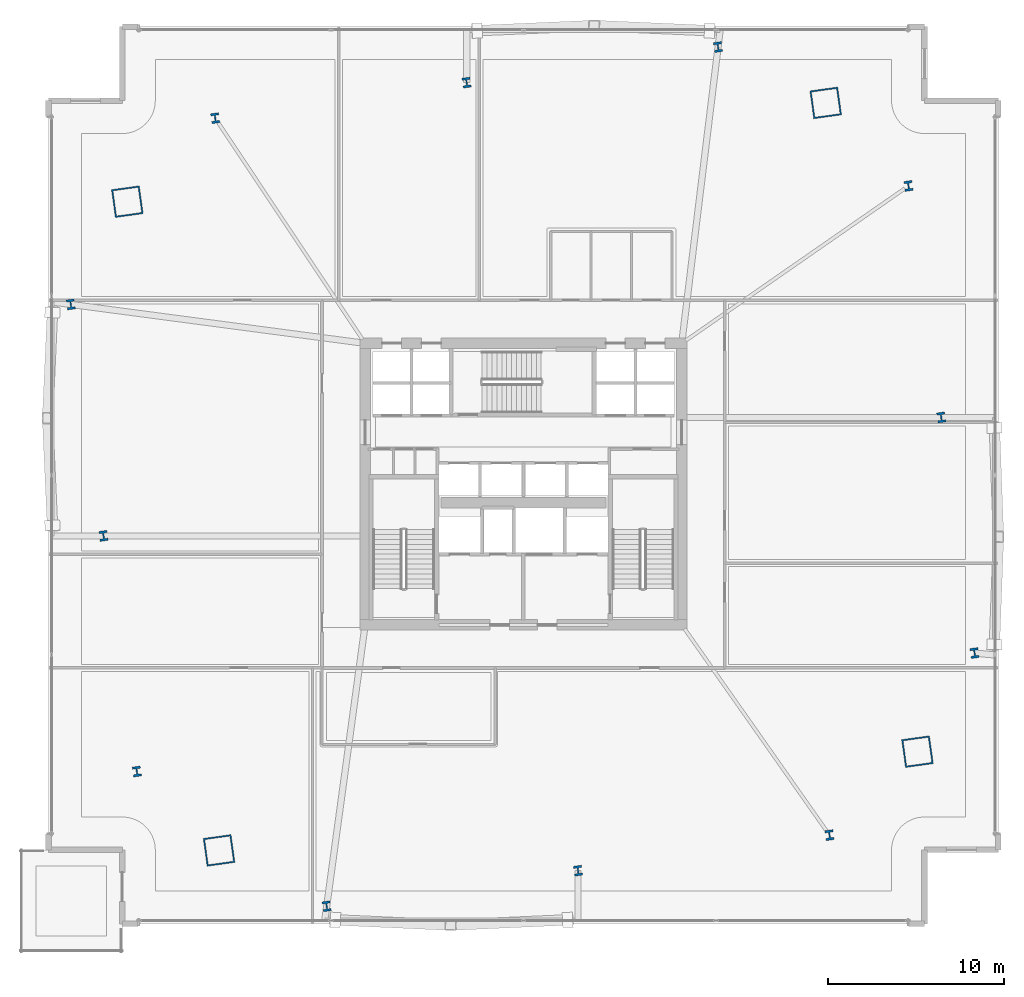
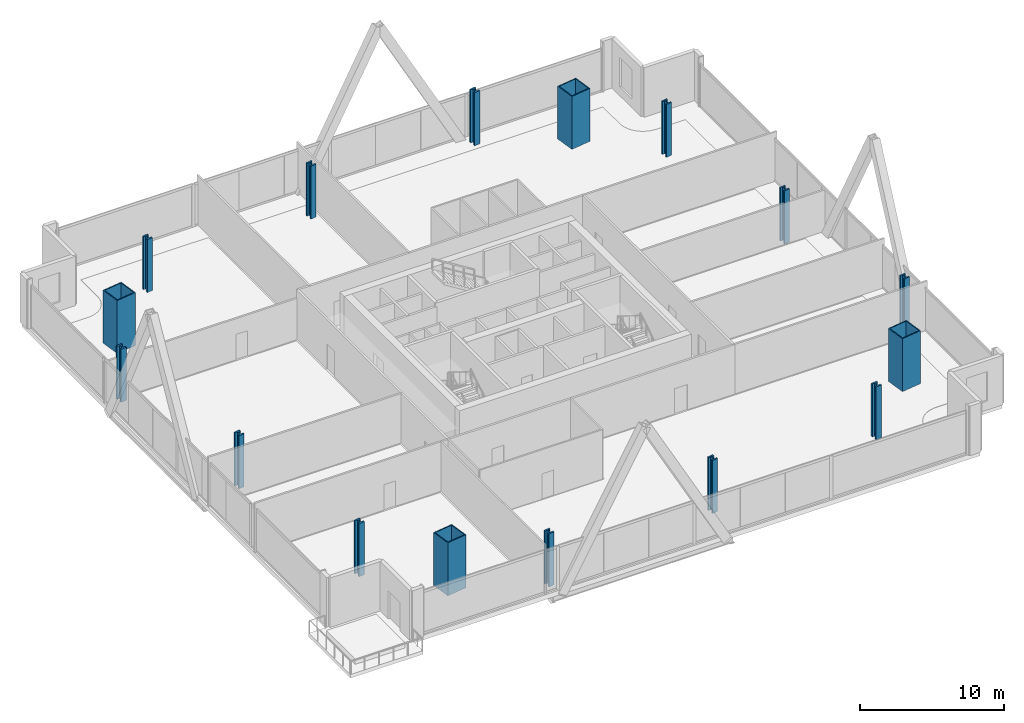
# One storey, part 1 of 29: 16 columns.
"""IFC4 building model written with IfcOpenShell, lengths in metres."""

from ifc_helpers import new_model, si_unit, direction, frame, origin, origin_2d, place, context, subcontext, project, spatial, hollow_rectangle, i_section, extrude, material, material_profile, profile_set, type_object, element, save


model = new_model("IFC4")

# Units and contexts
model_context = context("Model", 3, precision=1e-05, world=origin(), true_north=direction((0.0, 1.0)))
body_context = subcontext(model_context, "Body", "Model", "MODEL_VIEW")
ifc_project = project(units=[si_unit("LENGTHUNIT", "METRE"), si_unit("AREAUNIT", "SQUARE_METRE"), si_unit("VOLUMEUNIT", "CUBIC_METRE"), si_unit("PLANEANGLEUNIT", "RADIAN"), si_unit("MASSUNIT", "GRAM", prefix="KILO")], contexts=[model_context])

# Site, building, storey
site_placement = place(None, origin())
site = spatial("IfcSite", under=ifc_project, at=site_placement, CompositionType="ELEMENT")
building_placement = place(site_placement, origin())
building = spatial("IfcBuilding", under=site, at=building_placement, Name="Haldenkirk Collegiate Tower", CompositionType="ELEMENT")
storey_placement = place(building_placement, frame((0.0, 0.0, 28.199951171875)))
storey = spatial("IfcBuildingStorey", under=building, at=storey_placement, Name="L05", CompositionType="ELEMENT", Elevation=28.199951171875)

# Columns
ifc_material_1 = material(Name="Steel ASTM A913 Grade 65", Category="steel")
ifc_material_profile_1 = material_profile(ifc_material_1, i_section(OverallWidth=0.4541015625, OverallDepth=0.569091796875, WebThickness=0.077880859375, FlangeThickness=0.124755859375, at=origin_2d()), Name="W14X730")
ifc_profile_set_1 = profile_set([ifc_material_profile_1], Name="Steel ASTM A913 Grade 65")
column_type_1 = type_object("IfcColumnType", Name="COL-INT-W14X730", PredefinedType="COLUMN", material=ifc_profile_set_1)
for number, where, z_axis, x_axis, name in (
    (1, (24.815185546875, 1.997314453125, 0.0), (0.0, 0.0, 1.0), (0.990146240249, 0.140037219771, 0.0), "L05 perimeter gravity column PC-S1"),
    (2, (39.10888671875, 4.018798828125, 0.0), (0.0, 0.0, 1.0), (0.990146240249, 0.140037219771, 0.0), "L05 perimeter gravity column PC-S2"),
    (3, (53.402587890625, 6.040283203125, 0.0), (0.0, 0.0, 1.0), (0.990146240249, 0.140037219771, 0.0), "L05 perimeter gravity column PC-S3"),
    (4, (61.648193359375, 16.39306640625, 0.0), (0.0, 0.0, 1.0), (0.990146240249, 0.140037219771, 0.0), "L05 perimeter gravity column PC-E1"),
    (5, (59.75341796875, 29.788818359375, 0.0), (0.0, 0.0, 1.0), (0.990146240249, 0.140037219771, 0.0), "L05 perimeter gravity column PC-E2"),
    (6, (57.892333984375, 42.94873046875, 0.0), (0.0, 0.0, 1.0), (0.990146240249, 0.140037219771, 0.0), "L05 perimeter gravity column PC-E3"),
    (7, (47.06591796875, 50.844482421875, 0.0), (0.0, 0.0, 1.0), (0.990146240249, 0.140037219771, 0.0), "L05 perimeter gravity column PC-N1"),
    (8, (32.772216796875, 48.822998046875, 0.0), (0.0, 0.0, 1.0), (0.990146240249, 0.140037219771, 0.0), "L05 perimeter gravity column PC-N2"),
    (9, (18.478515625, 46.80126953125, 0.0), (0.0, 0.0, 1.0), (0.990146240249, 0.140037219771, 0.0), "L05 perimeter gravity column PC-N3"),
    (10, (10.26611328125, 36.212890625, 0.0), (0.0, 0.0, 1.0), (0.990146240249, 0.140037219771, 0.0), "L05 perimeter gravity column PC-W1"),
    (11, (12.12744140625, 23.052978515625, 0.0), (0.0, 0.0, 1.0), (0.990146240249, 0.140037219771, 0.0), "L05 perimeter gravity column PC-W2"),
    (12, (14.02197265625, 9.6572265625, 0.0), (0.0, 0.0, 1.0), (0.990146240249, 0.140037219771, 0.0), "L05 perimeter gravity column PC-W3"),
):
    element("IfcColumn", number, at=place(storey_placement, frame(where, z_axis=z_axis, x_axis=x_axis)), inside=storey, type_object=column_type_1, Name=name, PredefinedType="COLUMN", context=body_context, shape_type="SweptSolid", body=[
        extrude(i_section(OverallWidth=0.4541015625, OverallDepth=0.569091796875, WebThickness=0.077880859375, FlangeThickness=0.124755859375, at=origin_2d()), origin(), (0.0, 0.0, 1.0), 4.5),
    ])
ifc_material_2 = material(Name="Steel ASTM A572 Grade 50", Category="steel")
ifc_material_profile_2 = material_profile(ifc_material_2, hollow_rectangle(XDim=1.60009765625, YDim=1.60009765625, WallThickness=0.080078125, at=origin_2d()), Name="BOX1600X1600X80")
ifc_profile_set_2 = profile_set([ifc_material_profile_2], Name="Steel ASTM A572 Grade 50")
column_type_2 = type_object("IfcColumnType", Name="COL-MEGA-BOX1600X1600X80", PredefinedType="COLUMN", material=ifc_profile_set_2)
for number, where, z_axis, x_axis, name in (
    (13, (18.6962890625, 5.171630859375, 0.0), (0.0, 0.0, 1.0), (0.990146240249, 0.140037219771, 0.0), "L05 corner mega-column MC1"),
    (14, (58.401123046875, 10.787109375, 0.0), (0.0, 0.0, 1.0), (0.990146240249, 0.140037219771, 0.0), "L05 corner mega-column MC2"),
    (15, (53.184814453125, 47.669921875, 0.0), (0.0, 0.0, 1.0), (0.990146240249, 0.140037219771, 0.0), "L05 corner mega-column MC3"),
    (16, (13.47998046875, 42.054443359375, 0.0), (0.0, 0.0, 1.0), (0.990146240249, 0.140037219771, 0.0), "L05 corner mega-column MC4"),
):
    element("IfcColumn", number, at=place(storey_placement, frame(where, z_axis=z_axis, x_axis=x_axis)), inside=storey, type_object=column_type_2, Name=name, PredefinedType="COLUMN", context=body_context, shape_type="SweptSolid", body=[
        extrude(hollow_rectangle(XDim=1.60009765625, YDim=1.60009765625, WallThickness=0.080078125, at=origin_2d()), origin(), (0.0, 0.0, 1.0), 4.5),
    ])

save(model, "model.ifc")
